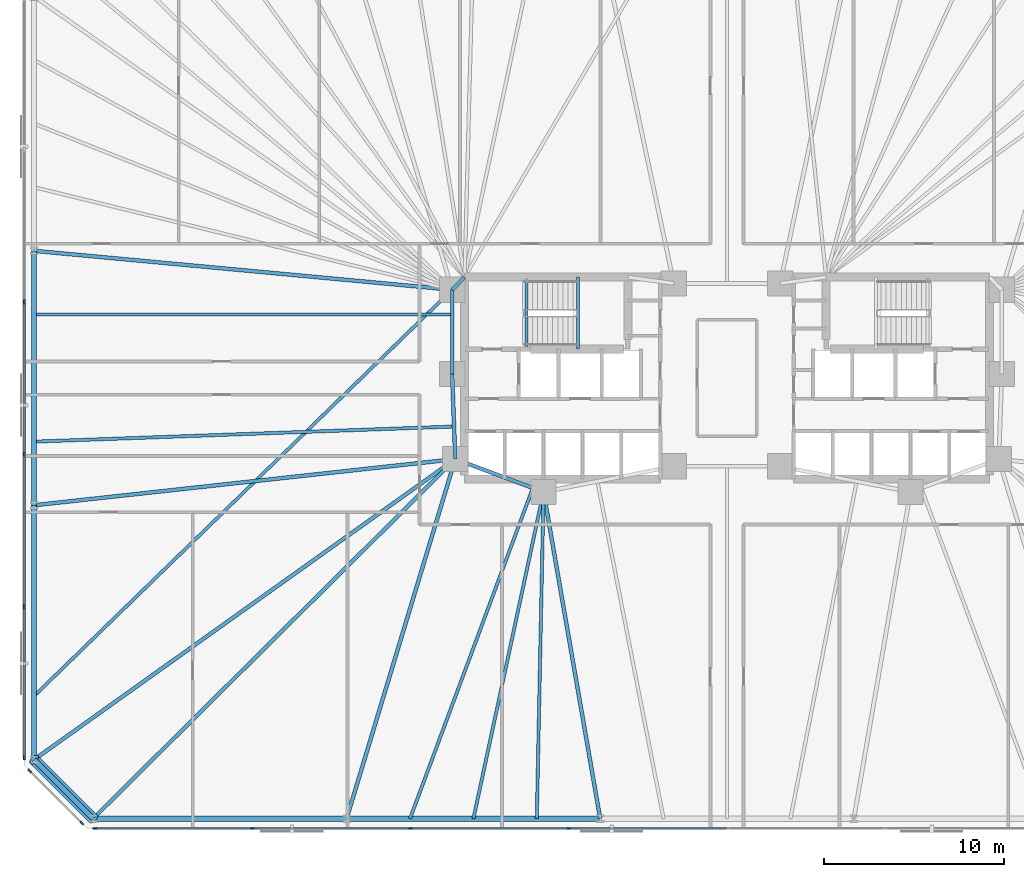
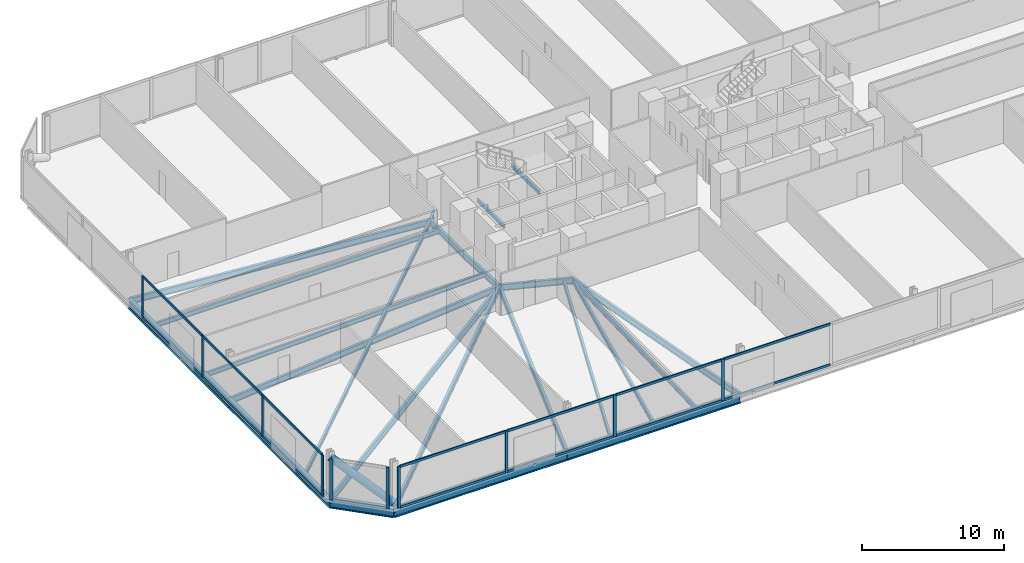
# One storey, part 6 of 17: 25 members, 23 beams, 3 elements without a shape of their own.
"""IFC4 building model written with IfcOpenShell, lengths in metres."""

from ifc_helpers import new_model, si_unit, direction, frame, origin, origin_2d, place, context, subcontext, project, spatial, rectangle, hollow_circle, i_section, extrude, material, material_profile, profile_set, type_object, element, aggregate, save


model = new_model("IFC4")

# Units and contexts
model_context = context("Model", 3, precision=1e-05, world=origin(), true_north=direction((0.0, 1.0)))
body_context = subcontext(model_context, "Body", "Model", "MODEL_VIEW")
ifc_project = project(units=[si_unit("LENGTHUNIT", "METRE"), si_unit("AREAUNIT", "SQUARE_METRE"), si_unit("VOLUMEUNIT", "CUBIC_METRE"), si_unit("PLANEANGLEUNIT", "RADIAN"), si_unit("MASSUNIT", "GRAM", prefix="KILO")], contexts=[model_context])

# Site, building, storey
site_placement = place(None, origin())
site = spatial("IfcSite", under=ifc_project, at=site_placement, CompositionType="ELEMENT")
building_placement = place(site_placement, origin())
building = spatial("IfcBuilding", under=site, at=building_placement, Name="Menara Jurai Vektor", CompositionType="ELEMENT")
storey_placement = place(building_placement, frame((0.0, 0.0, 63.60009765625)))
storey = spatial("IfcBuildingStorey", under=building, at=storey_placement, Name="L15", CompositionType="ELEMENT", Elevation=63.60009765625)

# Curtain wall, members
ifc_material_1 = material(Name="Anodised Pale Aluminium & Low-E Double Glazing", Category="aluminium")
curtain_wall_type = type_object("IfcCurtainWallType", Name="CW-BLK1", PredefinedType="NOTDEFINED", material=ifc_material_1)
curtain_wall_1_placement = place(storey_placement, origin())
curtain_wall_1 = element("IfcCurtainWall", 1, at=curtain_wall_1_placement, inside=storey, type_object=curtain_wall_type, Name="Unitised Curtain Wall L15 F01", PredefinedType="NOTDEFINED")
ifc_material_2 = material(Name="Anodised Pale Aluminium Mullion", Category="aluminium")
ifc_material_profile_1 = material_profile(ifc_material_2, rectangle(XDim=0.094970703125, YDim=0.239990234375, at=origin_2d()), Name="ALU MUL 95x240")
ifc_profile_set_1 = profile_set([ifc_material_profile_1], Name="Anodised Pale Aluminium Mullion")
member_type_1 = type_object("IfcMemberType", Name="CW-BLK1-MUL", PredefinedType="MULLION", material=ifc_profile_set_1)
member_1_placement = place(storey_placement, frame((-35.072509765625, -25.0, 0.0), z_axis=(0.0, 0.0, 1.0), x_axis=(0.0, 1.0, 0.0)))
member_1 = element("IfcMember", 2, at=member_1_placement, type_object=member_type_1, Name="CW-01 mullion 1", PredefinedType="MULLION", context=body_context, shape_type="SweptSolid", body=[
    extrude(rectangle(XDim=0.094970703125, YDim=0.239990234375, at=origin_2d()), origin(), (0.0, 0.0, 1.0), 3.574951171875),
])
member_2_placement = place(storey_placement, frame((-26.340087890625, -25.0, 0.0), z_axis=(0.0, 0.0, 1.0), x_axis=(0.0, 1.0, 0.0)))
member_2 = element("IfcMember", 3, at=member_2_placement, type_object=member_type_1, Name="CW-01 mullion 2", PredefinedType="MULLION", context=body_context, shape_type="SweptSolid", body=[
    extrude(rectangle(XDim=0.094970703125, YDim=0.239990234375, at=origin_2d()), origin(), (0.0, 0.0, 1.0), 3.574951171875),
])
member_3_placement = place(storey_placement, frame((-17.56005859375, -25.0, 0.0), z_axis=(0.0, 0.0, 1.0), x_axis=(0.0, 1.0, 0.0)))
member_3 = element("IfcMember", 4, at=member_3_placement, type_object=member_type_1, Name="CW-01 mullion 3", PredefinedType="MULLION", context=body_context, shape_type="SweptSolid", body=[
    extrude(rectangle(XDim=0.094970703125, YDim=0.239990234375, at=origin_2d()), origin(), (0.0, 0.0, 1.0), 3.574951171875),
])
member_4_placement = place(storey_placement, frame((-8.780029296875, -25.0, 0.0), z_axis=(0.0, 0.0, 1.0), x_axis=(0.0, 1.0, 0.0)))
member_4 = element("IfcMember", 5, at=member_4_placement, type_object=member_type_1, Name="CW-01 mullion 4", PredefinedType="MULLION", context=body_context, shape_type="SweptSolid", body=[
    extrude(rectangle(XDim=0.094970703125, YDim=0.239990234375, at=origin_2d()), origin(), (0.0, 0.0, 1.0), 3.574951171875),
])

curtain_wall_2_placement = place(storey_placement, origin())
curtain_wall_2 = element("IfcCurtainWall", 6, at=curtain_wall_2_placement, inside=storey, type_object=curtain_wall_type, Name="Unitised Curtain Wall L15 F07", PredefinedType="NOTDEFINED")
member_5_placement = place(storey_placement, frame((-39.0, 4.22412109375, 0.0), z_axis=(0.0, 0.0, 1.0), x_axis=(1.0, 0.0, 0.0)))
member_5 = element("IfcMember", 7, at=member_5_placement, type_object=member_type_1, Name="CW-01 mullion 3", PredefinedType="MULLION", context=body_context, shape_type="SweptSolid", body=[
    extrude(rectangle(XDim=0.094970703125, YDim=0.239990234375, at=origin_2d()), origin(), (0.0, 0.0, 1.0), 3.574951171875),
])
member_6_placement = place(storey_placement, frame((-39.0, -4.22412109375, 0.0), z_axis=(0.0, 0.0, 1.0), x_axis=(1.0, 0.0, 0.0)))
member_6 = element("IfcMember", 8, at=member_6_placement, type_object=member_type_1, Name="CW-01 mullion 4", PredefinedType="MULLION", context=body_context, shape_type="SweptSolid", body=[
    extrude(rectangle(XDim=0.094970703125, YDim=0.239990234375, at=origin_2d()), origin(), (0.0, 0.0, 1.0), 3.574951171875),
])
member_7_placement = place(storey_placement, frame((-39.0, -12.672119140625, 0.0), z_axis=(0.0, 0.0, 1.0), x_axis=(1.0, 0.0, 0.0)))
member_7 = element("IfcMember", 9, at=member_7_placement, type_object=member_type_1, Name="CW-01 mullion 5", PredefinedType="MULLION", context=body_context, shape_type="SweptSolid", body=[
    extrude(rectangle(XDim=0.094970703125, YDim=0.239990234375, at=origin_2d()), origin(), (0.0, 0.0, 1.0), 3.574951171875),
])
member_8_placement = place(storey_placement, frame((-39.0, -21.072509765625, 0.0), z_axis=(0.0, 0.0, 1.0), x_axis=(1.0, 0.0, 0.0)))
member_8 = element("IfcMember", 10, at=member_8_placement, type_object=member_type_1, Name="CW-01 mullion 6", PredefinedType="MULLION", context=body_context, shape_type="SweptSolid", body=[
    extrude(rectangle(XDim=0.094970703125, YDim=0.239990234375, at=origin_2d()), origin(), (0.0, 0.0, 1.0), 3.574951171875),
])

curtain_wall_3_placement = place(storey_placement, origin())
curtain_wall_3 = element("IfcCurtainWall", 11, at=curtain_wall_3_placement, inside=storey, type_object=curtain_wall_type, Name="Unitised Curtain Wall L15 F08", PredefinedType="NOTDEFINED")
member_9_placement = place(storey_placement, frame((-38.69775390625, -21.80224609375, 0.0), z_axis=(0.0, 0.0, 1.0), x_axis=(0.707106781187, 0.707106781187, 0.0)))
member_9 = element("IfcMember", 12, at=member_9_placement, type_object=member_type_1, Name="CW-01 mullion 1", PredefinedType="MULLION", context=body_context, shape_type="SweptSolid", body=[
    extrude(rectangle(XDim=0.094970703125, YDim=0.239990234375, at=origin_2d()), origin(), (0.0, 0.0, 1.0), 3.574951171875),
])
member_10_placement = place(storey_placement, frame((-35.80224609375, -24.69775390625, 0.0), z_axis=(0.0, 0.0, 1.0), x_axis=(0.707106781187, 0.707106781187, 0.0)))
member_10 = element("IfcMember", 13, at=member_10_placement, type_object=member_type_1, Name="CW-01 mullion 2", PredefinedType="MULLION", context=body_context, shape_type="SweptSolid", body=[
    extrude(rectangle(XDim=0.094970703125, YDim=0.239990234375, at=origin_2d()), origin(), (0.0, 0.0, 1.0), 3.574951171875),
])
aggregate(curtain_wall_3, [member_9, member_10])

# Member
ifc_material_3 = material(Name="Anodised Pale Aluminium Transom", Category="aluminium")
ifc_material_profile_2 = material_profile(ifc_material_3, rectangle(XDim=0.094970703125, YDim=0.199951171875, at=origin_2d()), Name="ALU TRN 95x200")
ifc_profile_set_2 = profile_set([ifc_material_profile_2], Name="Anodised Pale Aluminium Transom")
member_type_2 = type_object("IfcMemberType", Name="CW-BLK1-TRN", PredefinedType="USERDEFINED", material=ifc_profile_set_2)
member_11_placement = place(storey_placement, frame((-35.02490234375, -25.0, 0.04736328125), z_axis=(1.0, 0.0, 0.0), x_axis=(0.0, 1.0, 0.0)))
member_11 = element("IfcMember", 14, at=member_11_placement, type_object=member_type_2, Name="CW-01 transom 1.1", ObjectType="TRANSOM", PredefinedType="USERDEFINED", context=body_context, shape_type="SweptSolid", body=[
    extrude(rectangle(XDim=0.094970703125, YDim=0.199951171875, at=origin_2d()), origin(), (0.0, 0.0, 1.0), 8.637451171875),
])

member_12_placement = place(storey_placement, frame((-35.02490234375, -25.0, 3.52734375), z_axis=(1.0, 0.0, 0.0), x_axis=(0.0, 1.0, 0.0)))
member_12 = element("IfcMember", 15, at=member_12_placement, type_object=member_type_2, Name="CW-01 transom 1.2", ObjectType="TRANSOM", PredefinedType="USERDEFINED", context=body_context, shape_type="SweptSolid", body=[
    extrude(rectangle(XDim=0.094970703125, YDim=0.199951171875, at=origin_2d()), origin(), (0.0, 0.0, 1.0), 8.637451171875),
])

member_13_placement = place(storey_placement, frame((-26.29248046875, -25.0, 0.04736328125), z_axis=(1.0, 0.0, 0.0), x_axis=(0.0, 1.0, 0.0)))
member_13 = element("IfcMember", 16, at=member_13_placement, type_object=member_type_2, Name="CW-01 transom 2.1", ObjectType="TRANSOM", PredefinedType="USERDEFINED", context=body_context, shape_type="SweptSolid", body=[
    extrude(rectangle(XDim=0.094970703125, YDim=0.199951171875, at=origin_2d()), origin(), (0.0, 0.0, 1.0), 8.68505859375),
])

member_14_placement = place(storey_placement, frame((-26.29248046875, -25.0, 3.52734375), z_axis=(1.0, 0.0, 0.0), x_axis=(0.0, 1.0, 0.0)))
member_14 = element("IfcMember", 17, at=member_14_placement, type_object=member_type_2, Name="CW-01 transom 2.2", ObjectType="TRANSOM", PredefinedType="USERDEFINED", context=body_context, shape_type="SweptSolid", body=[
    extrude(rectangle(XDim=0.094970703125, YDim=0.199951171875, at=origin_2d()), origin(), (0.0, 0.0, 1.0), 8.68505859375),
])

member_15_placement = place(storey_placement, frame((-17.512451171875, -25.0, 0.04736328125), z_axis=(1.0, 0.0, 0.0), x_axis=(0.0, 1.0, 0.0)))
member_15 = element("IfcMember", 18, at=member_15_placement, type_object=member_type_2, Name="CW-01 transom 3.1", ObjectType="TRANSOM", PredefinedType="USERDEFINED", context=body_context, shape_type="SweptSolid", body=[
    extrude(rectangle(XDim=0.094970703125, YDim=0.199951171875, at=origin_2d()), origin(), (0.0, 0.0, 1.0), 8.68505859375),
])

member_16_placement = place(storey_placement, frame((-17.512451171875, -25.0, 3.52734375), z_axis=(1.0, 0.0, 0.0), x_axis=(0.0, 1.0, 0.0)))
member_16 = element("IfcMember", 19, at=member_16_placement, type_object=member_type_2, Name="CW-01 transom 3.2", ObjectType="TRANSOM", PredefinedType="USERDEFINED", context=body_context, shape_type="SweptSolid", body=[
    extrude(rectangle(XDim=0.094970703125, YDim=0.199951171875, at=origin_2d()), origin(), (0.0, 0.0, 1.0), 8.68505859375),
])

member_17_placement = place(storey_placement, frame((-8.732421875, -25.0, 0.04736328125), z_axis=(1.0, 0.0, 0.0), x_axis=(0.0, 1.0, 0.0)))
member_17 = element("IfcMember", 20, at=member_17_placement, type_object=member_type_2, Name="CW-01 transom 4.1", ObjectType="TRANSOM", PredefinedType="USERDEFINED", context=body_context, shape_type="SweptSolid", body=[
    extrude(rectangle(XDim=0.094970703125, YDim=0.199951171875, at=origin_2d()), origin(), (0.0, 0.0, 1.0), 8.684814453125),
])

member_18_placement = place(storey_placement, frame((-8.732421875, -25.0, 3.52734375), z_axis=(1.0, 0.0, 0.0), x_axis=(0.0, 1.0, 0.0)))
member_18 = element("IfcMember", 21, at=member_18_placement, type_object=member_type_2, Name="CW-01 transom 4.2", ObjectType="TRANSOM", PredefinedType="USERDEFINED", context=body_context, shape_type="SweptSolid", body=[
    extrude(rectangle(XDim=0.094970703125, YDim=0.199951171875, at=origin_2d()), origin(), (0.0, 0.0, 1.0), 8.684814453125),
])

aggregate(curtain_wall_1, [member_1, member_2, member_3, member_4, member_11, member_12, member_13, member_14, member_15, member_16, member_17, member_18])

member_19_placement = place(storey_placement, frame((-39.0, 4.176513671875, 0.04736328125), z_axis=(0.0, -1.0, 0.0), x_axis=(1.0, 0.0, 0.0)))
member_19 = element("IfcMember", 22, at=member_19_placement, type_object=member_type_2, Name="CW-01 transom 3.1", ObjectType="TRANSOM", PredefinedType="USERDEFINED", context=body_context, shape_type="SweptSolid", body=[
    extrude(rectangle(XDim=0.094970703125, YDim=0.199951171875, at=origin_2d()), origin(), (0.0, 0.0, 1.0), 8.35302734375),
])

member_20_placement = place(storey_placement, frame((-39.0, 4.176513671875, 3.52734375), z_axis=(0.0, -1.0, 0.0), x_axis=(1.0, 0.0, 0.0)))
member_20 = element("IfcMember", 23, at=member_20_placement, type_object=member_type_2, Name="CW-01 transom 3.2", ObjectType="TRANSOM", PredefinedType="USERDEFINED", context=body_context, shape_type="SweptSolid", body=[
    extrude(rectangle(XDim=0.094970703125, YDim=0.199951171875, at=origin_2d()), origin(), (0.0, 0.0, 1.0), 8.35302734375),
])

member_21_placement = place(storey_placement, frame((-39.0, -4.271484375, 0.04736328125), z_axis=(0.0, -1.0, 0.0), x_axis=(1.0, 0.0, 0.0)))
member_21 = element("IfcMember", 24, at=member_21_placement, type_object=member_type_2, Name="CW-01 transom 4.1", ObjectType="TRANSOM", PredefinedType="USERDEFINED", context=body_context, shape_type="SweptSolid", body=[
    extrude(rectangle(XDim=0.094970703125, YDim=0.199951171875, at=origin_2d()), origin(), (0.0, 0.0, 1.0), 8.35302734375),
])

member_22_placement = place(storey_placement, frame((-39.0, -4.271484375, 3.52734375), z_axis=(0.0, -1.0, 0.0), x_axis=(1.0, 0.0, 0.0)))
member_22 = element("IfcMember", 25, at=member_22_placement, type_object=member_type_2, Name="CW-01 transom 4.2", ObjectType="TRANSOM", PredefinedType="USERDEFINED", context=body_context, shape_type="SweptSolid", body=[
    extrude(rectangle(XDim=0.094970703125, YDim=0.199951171875, at=origin_2d()), origin(), (0.0, 0.0, 1.0), 8.35302734375),
])

member_23_placement = place(storey_placement, frame((-39.0, -12.719482421875, 0.04736328125), z_axis=(0.0, -1.0, 0.0), x_axis=(1.0, 0.0, 0.0)))
member_23 = element("IfcMember", 26, at=member_23_placement, type_object=member_type_2, Name="CW-01 transom 5.1", ObjectType="TRANSOM", PredefinedType="USERDEFINED", context=body_context, shape_type="SweptSolid", body=[
    extrude(rectangle(XDim=0.094970703125, YDim=0.199951171875, at=origin_2d()), origin(), (0.0, 0.0, 1.0), 8.305419921875),
])

member_24_placement = place(storey_placement, frame((-39.0, -12.719482421875, 3.52734375), z_axis=(0.0, -1.0, 0.0), x_axis=(1.0, 0.0, 0.0)))
member_24 = element("IfcMember", 27, at=member_24_placement, type_object=member_type_2, Name="CW-01 transom 5.2", ObjectType="TRANSOM", PredefinedType="USERDEFINED", context=body_context, shape_type="SweptSolid", body=[
    extrude(rectangle(XDim=0.094970703125, YDim=0.199951171875, at=origin_2d()), origin(), (0.0, 0.0, 1.0), 8.305419921875),
])

aggregate(curtain_wall_2, [member_5, member_6, member_7, member_8, member_19, member_20, member_21, member_22, member_23, member_24])

# Beams
ifc_material_4 = material(Name="Steel S355", Category="steel")
ifc_material_profile_3 = material_profile(ifc_material_4, i_section(OverallWidth=0.2109375, OverallDepth=0.5390625, WebThickness=0.011962890625, FlangeThickness=0.01904296875, FilletRadius=0.012939453125, at=origin_2d()), Name="UKB 533x210x109")
ifc_profile_set_3 = profile_set([ifc_material_profile_3], Name="Steel S355")
beam_type_1 = type_object("IfcBeamType", Name="STR-BM-533", PredefinedType="BEAM", material=ifc_profile_set_3)
beam_1_placement = place(storey_placement, frame((-15.25, 4.89990234375, -0.49462890625), z_axis=(0.701871936926, 0.712303154672, 0.0), x_axis=(-0.712303154672, 0.701871936926, 0.0)))
element("IfcBeam", 28, at=beam_1_placement, inside=storey, type_object=beam_type_1, Name="Core Ring Header Girder L15-CHW-N1", PredefinedType="BEAM", context=body_context, shape_type="SweptSolid", body=[
    extrude(i_section(OverallWidth=0.2109375, OverallDepth=0.5390625, WebThickness=0.011962890625, FlangeThickness=0.01904296875, FilletRadius=0.012939453125, at=origin_2d()), origin(), (0.0, 0.0, 1.0), 0.98291015625),
])
beam_2_placement = place(storey_placement, frame((-15.25, 0.219970703125, -0.49462890625), z_axis=(0.0, 1.0, 0.0), x_axis=(-1.0, 0.0, 0.0)))
element("IfcBeam", 29, at=beam_2_placement, inside=storey, type_object=beam_type_1, Name="Core Ring Header Girder L15-CHW-W1", PredefinedType="BEAM", context=body_context, shape_type="SweptSolid", body=[
    extrude(i_section(OverallWidth=0.2109375, OverallDepth=0.5390625, WebThickness=0.011962890625, FlangeThickness=0.01904296875, FilletRadius=0.012939453125, at=origin_2d()), origin(), (0.0, 0.0, 1.0), 4.679931640625),
])
beam_3_placement = place(storey_placement, frame((-15.080078125, -4.5, -0.49462890625), z_axis=(-0.035977314146, 0.999352606874, 0.0), x_axis=(-0.999352606874, -0.035977314146, 0.0)))
element("IfcBeam", 30, at=beam_3_placement, inside=storey, type_object=beam_type_1, Name="Core Ring Header Girder L15-CHW-W2", PredefinedType="BEAM", context=body_context, shape_type="SweptSolid", body=[
    extrude(i_section(OverallWidth=0.2109375, OverallDepth=0.5390625, WebThickness=0.011962890625, FlangeThickness=0.01904296875, FilletRadius=0.012939453125, at=origin_2d()), origin(), (0.0, 0.0, 1.0), 4.72314453125),
])
beam_4_placement = place(storey_placement, frame((-15.080078125, -4.5, -0.49462890625), z_axis=(0.937424400887, -0.348188874925, 0.0), x_axis=(0.348188874925, 0.937424400887, 0.0)))
element("IfcBeam", 31, at=beam_4_placement, inside=storey, type_object=beam_type_1, Name="Core Ring Header Girder L15-CHW-S1", PredefinedType="BEAM", context=body_context, shape_type="SweptSolid", body=[
    extrude(i_section(OverallWidth=0.2109375, OverallDepth=0.5390625, WebThickness=0.011962890625, FlangeThickness=0.01904296875, FilletRadius=0.012939453125, at=origin_2d()), origin(), (0.0, 0.0, 1.0), 5.227294921875),
])
beam_5_placement = place(storey_placement, frame((-35.177734375, -24.449951171875, -0.49462890625), z_axis=(0.709709931659, 0.704494011972, 0.0), x_axis=(-0.704494011972, 0.709709931659, 0.0)))
element("IfcBeam", 32, at=beam_5_placement, inside=storey, type_object=beam_type_1, Name="Radial Floor Girder L15-S1", PredefinedType="BEAM", context=body_context, shape_type="SweptSolid", body=[
    extrude(i_section(OverallWidth=0.2109375, OverallDepth=0.5390625, WebThickness=0.011962890625, FlangeThickness=0.01904296875, FilletRadius=0.012939453125, at=origin_2d()), origin(), (0.0, 0.0, 1.0), 28.318115234375),
])
beam_6_placement = place(storey_placement, frame((-21.106689453125, -24.449951171875, -0.49462890625), z_axis=(0.289179812203, 0.957274796604, 0.0), x_axis=(-0.957274796604, 0.289179812203, 0.0)))
element("IfcBeam", 33, at=beam_6_placement, inside=storey, type_object=beam_type_1, Name="Radial Floor Girder L15-S2", PredefinedType="BEAM", context=body_context, shape_type="SweptSolid", body=[
    extrude(i_section(OverallWidth=0.2109375, OverallDepth=0.5390625, WebThickness=0.011962890625, FlangeThickness=0.01904296875, FilletRadius=0.012939453125, at=origin_2d()), origin(), (0.0, 0.0, 1.0), 20.84033203125),
])
beam_7_placement = place(storey_placement, frame((-7.03564453125, -24.449951171875, -0.49462890625), z_axis=(-0.170880325642, 0.985291791455, 0.0), x_axis=(-0.985291791455, -0.170880325642, 0.0)))
element("IfcBeam", 34, at=beam_7_placement, inside=storey, type_object=beam_type_1, Name="Radial Floor Girder L15-S3", PredefinedType="BEAM", context=body_context, shape_type="SweptSolid", body=[
    extrude(i_section(OverallWidth=0.2109375, OverallDepth=0.5390625, WebThickness=0.011962890625, FlangeThickness=0.01904296875, FilletRadius=0.012939453125, at=origin_2d()), origin(), (0.0, 0.0, 1.0), 18.400634765625),
])
beam_8_placement = place(storey_placement, frame((-38.449951171875, 7.059326171875, -0.49462890625), z_axis=(0.995696113112, -0.092678208514, 0.0), x_axis=(0.092678208514, 0.995696113112, 0.0)))
element("IfcBeam", 35, at=beam_8_placement, inside=storey, type_object=beam_type_1, Name="Radial Floor Girder L15-W2", PredefinedType="BEAM", context=body_context, shape_type="SweptSolid", body=[
    extrude(i_section(OverallWidth=0.2109375, OverallDepth=0.5390625, WebThickness=0.011962890625, FlangeThickness=0.01904296875, FilletRadius=0.012939453125, at=origin_2d()), origin(), (0.0, 0.0, 1.0), 23.30029296875),
])
beam_9_placement = place(storey_placement, frame((-38.449951171875, -7.059326171875, -0.49462890625), z_axis=(0.994056757953, 0.108863042253, 0.0), x_axis=(-0.108863042253, 0.994056757953, 0.0)))
element("IfcBeam", 36, at=beam_9_placement, inside=storey, type_object=beam_type_1, Name="Radial Floor Girder L15-W3", PredefinedType="BEAM", context=body_context, shape_type="SweptSolid", body=[
    extrude(i_section(OverallWidth=0.2109375, OverallDepth=0.5390625, WebThickness=0.011962890625, FlangeThickness=0.01904296875, FilletRadius=0.012939453125, at=origin_2d()), origin(), (0.0, 0.0, 1.0), 23.509521484375),
])
beam_10_placement = place(storey_placement, frame((-38.449951171875, -21.177734375, -0.49462890625), z_axis=(0.813981033216, 0.580891450759, 0.0), x_axis=(-0.580891450759, 0.813981033216, 0.0)))
element("IfcBeam", 37, at=beam_10_placement, inside=storey, type_object=beam_type_1, Name="Radial Floor Girder L15-W4", PredefinedType="BEAM", context=body_context, shape_type="SweptSolid", body=[
    extrude(i_section(OverallWidth=0.2109375, OverallDepth=0.5390625, WebThickness=0.011962890625, FlangeThickness=0.01904296875, FilletRadius=0.012939453125, at=origin_2d()), origin(), (0.0, 0.0, 1.0), 28.710693359375),
])

# Member
ifc_material_5 = material(Name="Steel S460", Category="steel")
ifc_material_profile_4 = material_profile(ifc_material_5, hollow_circle(Radius=0.304931640625, WallThickness=0.02490234375, at=origin_2d()), Name="CHS 610x25")
ifc_profile_set_4 = profile_set([ifc_material_profile_4], Name="Steel S460")
member_type_3 = type_object("IfcMemberType", Name="STR-BR-610", PredefinedType="BRACE", material=ifc_profile_set_4)
member_25_placement = place(storey_placement, frame((-35.177734375, -24.449951171875, 0.14990234375), z_axis=(-0.588942422958, 0.588942422958, 0.553438022619), x_axis=(-0.707106781187, -0.707106781187, 0.0)))
element("IfcMember", 38, at=member_25_placement, inside=storey, type_object=member_type_3, Name="Exoskeleton Corner Brace L15-4", PredefinedType="BRACE", context=body_context, shape_type="SweptSolid", body=[
    extrude(hollow_circle(Radius=0.304931640625, WallThickness=0.02490234375, at=origin_2d()), origin(), (0.0, 0.0, 1.0), 5.55615234375),
])

# Beams
ifc_material_profile_5 = material_profile(ifc_material_4, i_section(OverallWidth=0.178955078125, OverallDepth=0.408935546875, WebThickness=0.009033203125, FlangeThickness=0.013916015625, FilletRadius=0.010009765625, at=origin_2d()), Name="UKB 406x178x67")
ifc_profile_set_5 = profile_set([ifc_material_profile_5], Name="Steel S355")
beam_type_2 = type_object("IfcBeamType", Name="STR-JS-406", PredefinedType="JOIST", material=ifc_profile_set_5)
beam_11_placement = place(storey_placement, frame((-17.5888671875, -24.449951171875, -0.4296875), z_axis=(0.348179014223, 0.937428063403, 0.0), x_axis=(-0.937428063403, 0.348179014223, 0.0)))
element("IfcBeam", 39, at=beam_11_placement, inside=storey, type_object=beam_type_2, Name="Radial Secondary Floor Joist L15-JS01", PredefinedType="JOIST", context=body_context, shape_type="SweptSolid", body=[
    extrude(i_section(OverallWidth=0.178955078125, OverallDepth=0.408935546875, WebThickness=0.009033203125, FlangeThickness=0.013916015625, FilletRadius=0.010009765625, at=origin_2d()), origin(), (0.0, 0.0, 1.0), 19.5751953125),
])
beam_12_placement = place(storey_placement, frame((-14.071044921875, -24.449951171875, -0.4296875), z_axis=(0.209845584412, 0.977734539997, 0.0), x_axis=(-0.977734539997, 0.209845584412, 0.0)))
element("IfcBeam", 40, at=beam_12_placement, inside=storey, type_object=beam_type_2, Name="Radial Secondary Floor Joist L15-JS02", PredefinedType="JOIST", context=body_context, shape_type="SweptSolid", body=[
    extrude(i_section(OverallWidth=0.178955078125, OverallDepth=0.408935546875, WebThickness=0.009033203125, FlangeThickness=0.013916015625, FilletRadius=0.010009765625, at=origin_2d()), origin(), (0.0, 0.0, 1.0), 18.542724609375),
])
beam_13_placement = place(storey_placement, frame((-10.55322265625, -24.449951171875, -0.4296875), z_axis=(0.020585456509, 0.999788097039, 0.0), x_axis=(-0.999788097039, 0.020585456509, 0.0)))
element("IfcBeam", 41, at=beam_13_placement, inside=storey, type_object=beam_type_2, Name="Radial Secondary Floor Joist L15-JS03", PredefinedType="JOIST", context=body_context, shape_type="SweptSolid", body=[
    extrude(i_section(OverallWidth=0.178955078125, OverallDepth=0.408935546875, WebThickness=0.009033203125, FlangeThickness=0.013916015625, FilletRadius=0.010009765625, at=origin_2d()), origin(), (0.0, 0.0, 1.0), 18.1337890625),
])
beam_14_placement = place(storey_placement, frame((-38.449951171875, 3.529541015625, -0.4296875), z_axis=(1.0, 0.0, 0.0), x_axis=(0.0, 1.0, 0.0)))
element("IfcBeam", 42, at=beam_14_placement, inside=storey, type_object=beam_type_2, Name="Radial Secondary Floor Joist L15-JS35", PredefinedType="JOIST", context=body_context, shape_type="SweptSolid", body=[
    extrude(i_section(OverallWidth=0.178955078125, OverallDepth=0.408935546875, WebThickness=0.009033203125, FlangeThickness=0.013916015625, FilletRadius=0.010009765625, at=origin_2d()), origin(), (0.0, 0.0, 1.0), 23.199951171875),
])
beam_15_placement = place(storey_placement, frame((-38.449951171875, -3.529541015625, -0.4296875), z_axis=(0.999352032814, 0.035993256462, 0.0), x_axis=(-0.035993256462, 0.999352032814, 0.0)))
element("IfcBeam", 43, at=beam_15_placement, inside=storey, type_object=beam_type_2, Name="Radial Secondary Floor Joist L15-JS36", PredefinedType="JOIST", context=body_context, shape_type="SweptSolid", body=[
    extrude(i_section(OverallWidth=0.178955078125, OverallDepth=0.408935546875, WebThickness=0.009033203125, FlangeThickness=0.013916015625, FilletRadius=0.010009765625, at=origin_2d()), origin(), (0.0, 0.0, 1.0), 23.31982421875),
])
beam_16_placement = place(storey_placement, frame((-38.449951171875, -17.648193359375, -0.4296875), z_axis=(0.71710942187, 0.696960599363, 0.0), x_axis=(-0.696960599363, 0.71710942187, 0.0)))
element("IfcBeam", 44, at=beam_16_placement, inside=storey, type_object=beam_type_2, Name="Radial Secondary Floor Joist L15-JS37", PredefinedType="JOIST", context=body_context, shape_type="SweptSolid", body=[
    extrude(i_section(OverallWidth=0.178955078125, OverallDepth=0.408935546875, WebThickness=0.009033203125, FlangeThickness=0.013916015625, FilletRadius=0.010009765625, at=origin_2d()), origin(), (0.0, 0.0, 1.0), 32.35205078125),
])
ifc_material_profile_6 = material_profile(ifc_material_4, i_section(OverallWidth=0.1650390625, OverallDepth=0.302978515625, WebThickness=0.006103515625, FlangeThickness=0.010009765625, FilletRadius=0.009033203125, at=origin_2d()), Name="UKB 305x165x40")
ifc_profile_set_6 = profile_set([ifc_material_profile_6], Name="Steel S355")
beam_type_3 = type_object("IfcBeamType", Name="STR-LN-305", PredefinedType="LINTEL", material=ifc_profile_set_6)
beam_17_placement = place(storey_placement, frame((-11.1201171875, 1.60009765625, -0.376708984375), z_axis=(0.0, 1.0, 0.0), x_axis=(-1.0, 0.0, 0.0)))
element("IfcBeam", 45, at=beam_17_placement, inside=storey, type_object=beam_type_3, Name="Stair Well Floor Trimmer ST1 L15", PredefinedType="LINTEL", context=body_context, shape_type="SweptSolid", body=[
    extrude(i_section(OverallWidth=0.1650390625, OverallDepth=0.302978515625, WebThickness=0.006103515625, FlangeThickness=0.010009765625, FilletRadius=0.009033203125, at=origin_2d()), origin(), (0.0, 0.0, 1.0), 3.81982421875),
])
beam_18_placement = place(storey_placement, frame((-8.27001953125, 1.60009765625, 1.54833984375), z_axis=(0.0, 1.0, 0.0), x_axis=(-1.0, 0.0, 0.0)))
element("IfcBeam", 46, at=beam_18_placement, inside=storey, type_object=beam_type_3, Name="Stair Half-Landing Nosing Trimmer ST1-1 L15", PredefinedType="LINTEL", context=body_context, shape_type="SweptSolid", body=[
    extrude(i_section(OverallWidth=0.1650390625, OverallDepth=0.302978515625, WebThickness=0.006103515625, FlangeThickness=0.010009765625, FilletRadius=0.009033203125, at=origin_2d()), origin(), (0.0, 0.0, 1.0), 4.0),
])
ifc_material_profile_7 = material_profile(ifc_material_5, i_section(OverallWidth=0.2939453125, OverallDepth=0.85107421875, WebThickness=0.01611328125, FlangeThickness=0.027099609375, FilletRadius=0.01806640625, at=origin_2d()), Name="UKB 838x292x226")
ifc_profile_set_7 = profile_set([ifc_material_profile_7], Name="Steel S460")
beam_type_4 = type_object("IfcBeamType", Name="STR-SP-838", PredefinedType="SPANDREL", material=ifc_profile_set_7)
for number, where, z_axis, x_axis, name in (
    (47, (-35.177734375, -24.449951171875, -0.650634765625), (1.0, 0.0, 0.0), (0.0, 1.0, 0.0), "Exoskeleton Spandrel Beam L15-01"),
    (48, (-21.106689453125, -24.449951171875, -0.650634765625), (1.0, 0.0, 0.0), (0.0, 1.0, 0.0), "Exoskeleton Spandrel Beam L15-02"),
):
    element("IfcBeam", number, at=place(storey_placement, frame(where, z_axis=z_axis, x_axis=x_axis)), inside=storey, type_object=beam_type_4, Name=name, PredefinedType="SPANDREL", context=body_context, shape_type="SweptSolid", body=[
        extrude(i_section(OverallWidth=0.2939453125, OverallDepth=0.85107421875, WebThickness=0.01611328125, FlangeThickness=0.027099609375, FilletRadius=0.01806640625, at=origin_2d()), origin(), (0.0, 0.0, 1.0), 14.071044921875),
    ])
beam_19_placement = place(storey_placement, frame((-38.449951171875, 7.059326171875, -0.650634765625), z_axis=(0.0, -1.0, 0.0), x_axis=(1.0, 0.0, 0.0)))
element("IfcBeam", 49, at=beam_19_placement, inside=storey, type_object=beam_type_4, Name="Exoskeleton Spandrel Beam L15-18", PredefinedType="SPANDREL", context=body_context, shape_type="SweptSolid", body=[
    extrude(i_section(OverallWidth=0.2939453125, OverallDepth=0.85107421875, WebThickness=0.01611328125, FlangeThickness=0.027099609375, FilletRadius=0.01806640625, at=origin_2d()), origin(), (0.0, 0.0, 1.0), 14.11865234375),
])
beam_20_placement = place(storey_placement, frame((-38.449951171875, -7.059326171875, -0.650634765625), z_axis=(0.0, -1.0, 0.0), x_axis=(1.0, 0.0, 0.0)))
element("IfcBeam", 50, at=beam_20_placement, inside=storey, type_object=beam_type_4, Name="Exoskeleton Spandrel Beam L15-19", PredefinedType="SPANDREL", context=body_context, shape_type="SweptSolid", body=[
    extrude(i_section(OverallWidth=0.2939453125, OverallDepth=0.85107421875, WebThickness=0.01611328125, FlangeThickness=0.027099609375, FilletRadius=0.01806640625, at=origin_2d()), origin(), (0.0, 0.0, 1.0), 14.118408203125),
])
beam_21_placement = place(storey_placement, frame((-38.449951171875, -21.177734375, -0.650634765625), z_axis=(0.707106781187, -0.707106781187, 0.0), x_axis=(0.707106781187, 0.707106781187, 0.0)))
element("IfcBeam", 51, at=beam_21_placement, inside=storey, type_object=beam_type_4, Name="Exoskeleton Spandrel Beam L15-20", PredefinedType="SPANDREL", context=body_context, shape_type="SweptSolid", body=[
    extrude(i_section(OverallWidth=0.2939453125, OverallDepth=0.85107421875, WebThickness=0.01611328125, FlangeThickness=0.027099609375, FilletRadius=0.01806640625, at=origin_2d()), origin(), (0.0, 0.0, 1.0), 4.627685546875),
])

save(model, "model.ifc")
